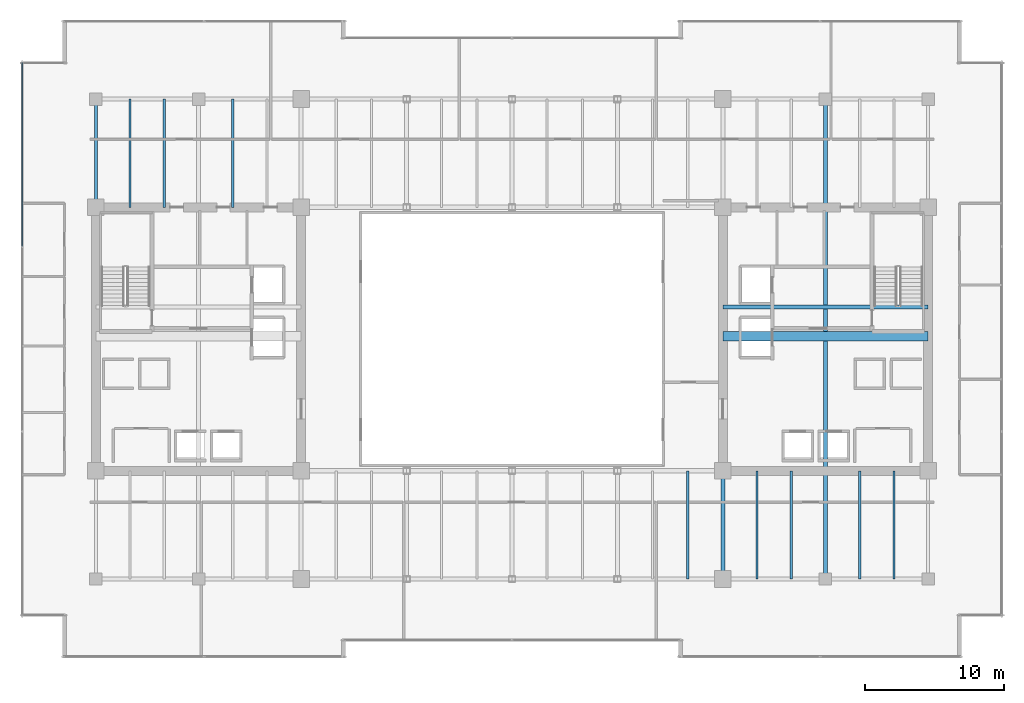
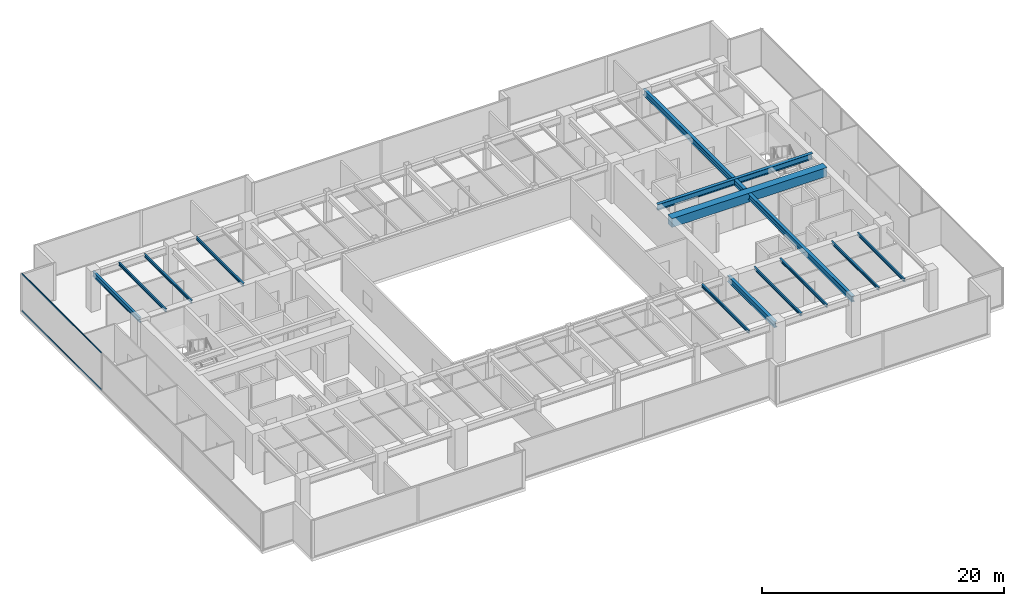
# One storey, part 13 of 31: 13 beams, 2 members, 1 element without a shape of its own.
"""IFC4 building model written with IfcOpenShell, lengths in metres."""

from ifc_helpers import new_model, si_unit, direction, frame, origin, origin_2d, place, context, subcontext, project, spatial, rectangle, hollow_rectangle, i_section, extrude, source, transform, mapped, material, layer, layer_set, material_profile, profile_set, type_object, type_shapes, element, aggregate, save


model = new_model("IFC4")

# Units and contexts
model_context = context("Model", 3, precision=1e-05, world=origin(), true_north=direction((0.0, 1.0)))
body_context = subcontext(model_context, "Body", "Model", "MODEL_VIEW")
ifc_project = project(units=[si_unit("LENGTHUNIT", "METRE"), si_unit("AREAUNIT", "SQUARE_METRE"), si_unit("VOLUMEUNIT", "CUBIC_METRE"), si_unit("PLANEANGLEUNIT", "RADIAN"), si_unit("MASSUNIT", "GRAM", prefix="KILO")], contexts=[model_context])

# Site, building, storey
site_placement = place(None, origin())
site = spatial("IfcSite", under=ifc_project, at=site_placement, CompositionType="ELEMENT")
building_placement = place(site_placement, origin())
building = spatial("IfcBuilding", under=site, at=building_placement, Name="Haelvirn Gate Laboratories", CompositionType="ELEMENT")
storey_placement = place(building_placement, frame((0.0, 0.0, 150.199951171875)))
storey = spatial("IfcBuildingStorey", under=building, at=storey_placement, Name="L36", CompositionType="ELEMENT", Elevation=150.199951171875)

# Beams
ifc_material_1 = material(Name="Concrete C60/75", Category="concrete")
ifc_material_profile_1 = material_profile(ifc_material_1, rectangle(XDim=0.699951171875, YDim=0.89990234375, at=origin_2d()), Name="RCB-700x900")
ifc_profile_set_1 = profile_set([ifc_material_profile_1], Name="Concrete C60/75")
beam_type_1 = type_object("IfcBeamType", Name="BM-RCB-900", PredefinedType="LINTEL", material=ifc_profile_set_1)
shared_shape_1 = source(origin(), body_context, "Body", "SweptSolid", [
    extrude(rectangle(XDim=0.699951171875, YDim=0.89990234375, at=origin_2d()), origin(), (0.0, 0.0, 1.0), 14.7998046875),
])
type_shapes(beam_type_1, [shared_shape_1])
beam_1_placement = place(storey_placement, frame((52.60009765625, 24.5, 3.340087890625), z_axis=(1.0, 0.0, 0.0), x_axis=(0.0, 1.0, 0.0)))
element("IfcBeam", 1, at=beam_1_placement, inside=storey, type_object=beam_type_1, Name="L36 East Core Coupling Beam", PredefinedType="LINTEL", context=body_context, shape_type="MappedRepresentation", body=[
    mapped(shared_shape_1, transform((0.0, 0.0, 0.0), scale=1.0)),
])
ifc_material_2 = material(Name="Steel SM355", Category="steel")
ifc_material_profile_2 = material_profile(ifc_material_2, i_section(OverallWidth=0.300048828125, OverallDepth=0.587890625, WebThickness=0.011962890625, FlangeThickness=0.02001953125, at=origin_2d()), Name="H-588x300x12x20")
ifc_profile_set_2 = profile_set([ifc_material_profile_2], Name="Steel SM355")
beam_type_2 = type_object("IfcBeamType", Name="BM-G-588", PredefinedType="BEAM", material=ifc_profile_set_2)
shared_shape_2 = source(origin(), body_context, "Body", "SweptSolid", [
    extrude(i_section(OverallWidth=0.300048828125, OverallDepth=0.587890625, WebThickness=0.011962890625, FlangeThickness=0.02001953125, at=origin_2d()), origin(), (0.0, 0.0, 1.0), 14.7998046875),
])
beam_2_placement = place(storey_placement, frame((52.60009765625, 26.6201171875, 3.49609375), z_axis=(1.0, 0.0, 0.0), x_axis=(0.0, 1.0, 0.0)))
element("IfcBeam", 2, at=beam_2_placement, inside=storey, type_object=beam_type_2, Name="L36 Stair ST2 Landing Header", PredefinedType="BEAM", context=body_context, shape_type="MappedRepresentation", body=[
    mapped(shared_shape_2, transform((0.0, 0.0, 0.0), scale=1.0)),
])
ifc_material_profile_3 = material_profile(ifc_material_2, i_section(OverallWidth=0.199951171875, OverallDepth=0.5, WebThickness=0.010009765625, FlangeThickness=0.01611328125, at=origin_2d()), Name="H-500x200x10x16")
ifc_profile_set_3 = profile_set([ifc_material_profile_3], Name="Steel SM355")
beam_type_3 = type_object("IfcBeamType", Name="BM-SP-500", PredefinedType="SPANDREL", material=ifc_profile_set_3)
shared_shape_3 = source(origin(), body_context, "Body", "SweptSolid", [
    extrude(i_section(OverallWidth=0.199951171875, OverallDepth=0.5, WebThickness=0.010009765625, FlangeThickness=0.01611328125, at=origin_2d()), origin(), (0.0, 0.0, 1.0), 7.800048828125),
])
type_shapes(beam_type_3, [shared_shape_3])
beam_3_placement = place(storey_placement, frame((7.39990234375, 33.800048828125, 3.5400390625), z_axis=(0.0, 1.0, 0.0), x_axis=(-1.0, 0.0, 0.0)))
element("IfcBeam", 3, at=beam_3_placement, inside=storey, type_object=beam_type_3, Name="L36 Perimeter Spandrel X7.4 (33.8-41.6)", PredefinedType="SPANDREL", context=body_context, shape_type="MappedRepresentation", body=[
    mapped(shared_shape_3, transform((0.0, 0.0, 0.0), scale=1.0)),
])
ifc_material_profile_4 = material_profile(ifc_material_2, i_section(OverallWidth=0.14990234375, OverallDepth=0.300048828125, WebThickness=0.006591796875, FlangeThickness=0.009033203125, at=origin_2d()), Name="H-300x150x6.5x9")
ifc_profile_set_4 = profile_set([ifc_material_profile_4], Name="Steel SM355")
beam_type_4 = type_object("IfcBeamType", Name="BM-J-300", PredefinedType="JOIST", material=ifc_profile_set_4)
shared_shape_4 = source(origin(), body_context, "Body", "SweptSolid", [
    extrude(i_section(OverallWidth=0.14990234375, OverallDepth=0.300048828125, WebThickness=0.006591796875, FlangeThickness=0.009033203125, at=origin_2d()), origin(), (0.0, 0.0, 1.0), 7.800048828125),
])
type_shapes(beam_type_4, [shared_shape_4])
for number, where, z_axis, x_axis, name in (
    (4, (9.8701171875, 33.800048828125, 3.64013671875), (0.0, 1.0, 0.0), (-1.0, 0.0, 0.0), "L36 Composite Lab Joist North X9.87"),
    (5, (12.330078125, 33.800048828125, 3.64013671875), (0.0, 1.0, 0.0), (-1.0, 0.0, 0.0), "L36 Composite Lab Joist North X12.33"),
    (6, (17.27001953125, 33.800048828125, 3.64013671875), (0.0, 1.0, 0.0), (-1.0, 0.0, 0.0), "L36 Composite Lab Joist North X17.27"),
    (7, (50.070068359375, 7.0, 3.64013671875), (0.0, 1.0, 0.0), (-1.0, 0.0, 0.0), "L36 Composite Lab Joist South X50.07"),
    (8, (55.070068359375, 7.0, 3.64013671875), (0.0, 1.0, 0.0), (-1.0, 0.0, 0.0), "L36 Composite Lab Joist South X55.07"),
    (9, (57.530029296875, 7.0, 3.64013671875), (0.0, 1.0, 0.0), (-1.0, 0.0, 0.0), "L36 Composite Lab Joist South X57.53"),
    (10, (62.469970703125, 7.0, 3.64013671875), (0.0, 1.0, 0.0), (-1.0, 0.0, 0.0), "L36 Composite Lab Joist South X62.47"),
    (11, (64.929931640625, 7.0, 3.64013671875), (0.0, 1.0, 0.0), (-1.0, 0.0, 0.0), "L36 Composite Lab Joist South X64.93"),
):
    element("IfcBeam", number, at=place(storey_placement, frame(where, z_axis=z_axis, x_axis=x_axis)), inside=storey, type_object=beam_type_4, Name=name, PredefinedType="JOIST", context=body_context, shape_type="MappedRepresentation", body=[
        mapped(shared_shape_4, transform((0.0, 0.0, 0.0), scale=1.0)),
    ])
shared_shape_5 = source(origin(), body_context, "Body", "SweptSolid", [
    extrude(i_section(OverallWidth=0.300048828125, OverallDepth=0.587890625, WebThickness=0.011962890625, FlangeThickness=0.02001953125, at=origin_2d()), origin(), (0.0, 0.0, 1.0), 34.60009765625),
])
beam_4_placement = place(storey_placement, frame((60.0, 7.0, 3.49609375), z_axis=(0.0, 1.0, 0.0), x_axis=(-1.0, 0.0, 0.0)))
element("IfcBeam", 12, at=beam_4_placement, inside=storey, type_object=beam_type_2, Name="L36 Frame Girder X60.0 (7.0-41.6)", PredefinedType="BEAM", context=body_context, shape_type="MappedRepresentation", body=[
    mapped(shared_shape_5, transform((0.0, 0.0, 0.0), scale=1.0)),
])
shared_shape_6 = source(origin(), body_context, "Body", "SweptSolid", [
    extrude(i_section(OverallWidth=0.300048828125, OverallDepth=0.587890625, WebThickness=0.011962890625, FlangeThickness=0.02001953125, at=origin_2d()), origin(), (0.0, 0.0, 1.0), 7.800048828125),
])
type_shapes(beam_type_2, [shared_shape_2, shared_shape_5, shared_shape_6])
beam_5_placement = place(storey_placement, frame((52.60009765625, 7.0, 3.49609375), z_axis=(0.0, 1.0, 0.0), x_axis=(-1.0, 0.0, 0.0)))
element("IfcBeam", 13, at=beam_5_placement, inside=storey, type_object=beam_type_2, Name="L36 Frame Girder X52.6 (7.0-14.8)", PredefinedType="BEAM", context=body_context, shape_type="MappedRepresentation", body=[
    mapped(shared_shape_6, transform((0.0, 0.0, 0.0), scale=1.0)),
])

# Curtain wall, members
ifc_material_3 = material(Name="Anodised bronze unitised aluminium & triple low-E glass", Category="aluminium")
ifc_layer = layer(ifc_material_3, 0.179931640625, Name="CW-SYS-3")
ifc_layer_set = layer_set([ifc_layer], Name="Anodised bronze unitised aluminium & triple low-E glass")
curtain_wall_type = type_object("IfcCurtainWallType", Name="CW-SYS-3", PredefinedType="NOTDEFINED", material=ifc_layer_set)
curtain_wall_placement = place(storey_placement, origin())
curtain_wall = element("IfcCurtainWall", 14, at=curtain_wall_placement, inside=storey, type_object=curtain_wall_type, Name="L36 Unitised Curtain Wall CW-L36-P0-E17", PredefinedType="NOTDEFINED")
ifc_material_4 = material(Name="Extruded aluminium 6063-T6 (anodised bronze)", Category="aluminium")
ifc_material_profile_5 = material_profile(ifc_material_4, hollow_rectangle(XDim=0.06494140625, YDim=0.139892578125, WallThickness=0.00390625, at=origin_2d()), Name="CWT-140x65x4")
ifc_profile_set_5 = profile_set([ifc_material_profile_5], Name="Extruded aluminium 6063-T6 (anodised bronze)")
member_type = type_object("IfcMemberType", Name="CWT-T140", PredefinedType="USERDEFINED", material=ifc_profile_set_5)
shared_shape_7 = source(origin(), body_context, "Body", "SweptSolid", [
    extrude(hollow_rectangle(XDim=0.06494140625, YDim=0.139892578125, WallThickness=0.00390625, at=origin_2d()), origin(), (0.0, 0.0, 1.0), 13.220947265625),
])
type_shapes(member_type, [shared_shape_7])
member_1_placement = place(storey_placement, frame((2.10009765625, 44.22509765625, 0.032470703125), z_axis=(0.0, -1.0, 0.0), x_axis=(1.0, 0.0, 0.0)))
member_1 = element("IfcMember", 15, at=member_1_placement, type_object=member_type, Name="CW3 transom 1.1", ObjectType="TRANSOM", PredefinedType="USERDEFINED", context=body_context, shape_type="MappedRepresentation", body=[
    mapped(shared_shape_7, transform((0.0, 0.0, 0.0), scale=1.0)),
])
member_2_placement = place(storey_placement, frame((2.10009765625, 44.22509765625, 3.757568359375), z_axis=(0.0, -1.0, 0.0), x_axis=(1.0, 0.0, 0.0)))
member_2 = element("IfcMember", 16, at=member_2_placement, type_object=member_type, Name="CW3 transom 1.2", ObjectType="TRANSOM", PredefinedType="USERDEFINED", context=body_context, shape_type="MappedRepresentation", body=[
    mapped(shared_shape_7, transform((0.0, 0.0, 0.0), scale=1.0)),
])
aggregate(curtain_wall, [member_1, member_2])

save(model, "model.ifc")
